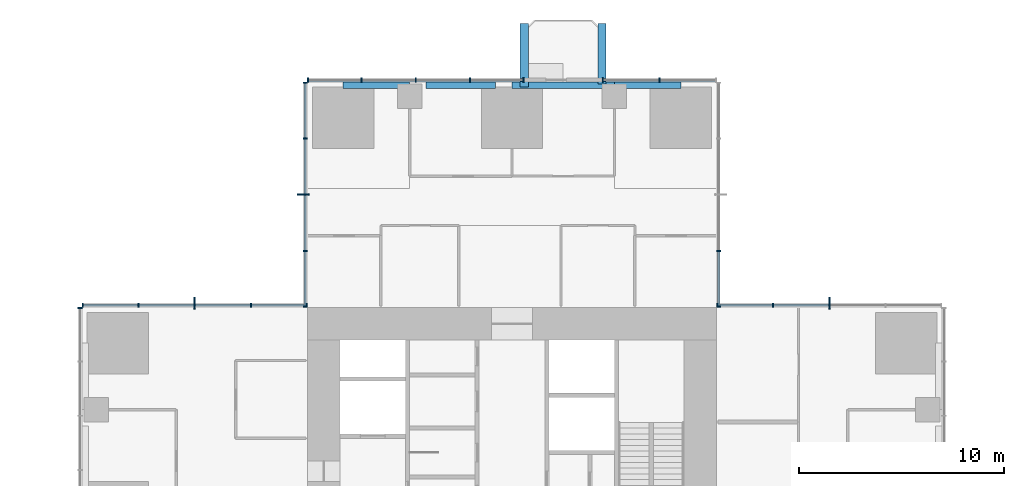
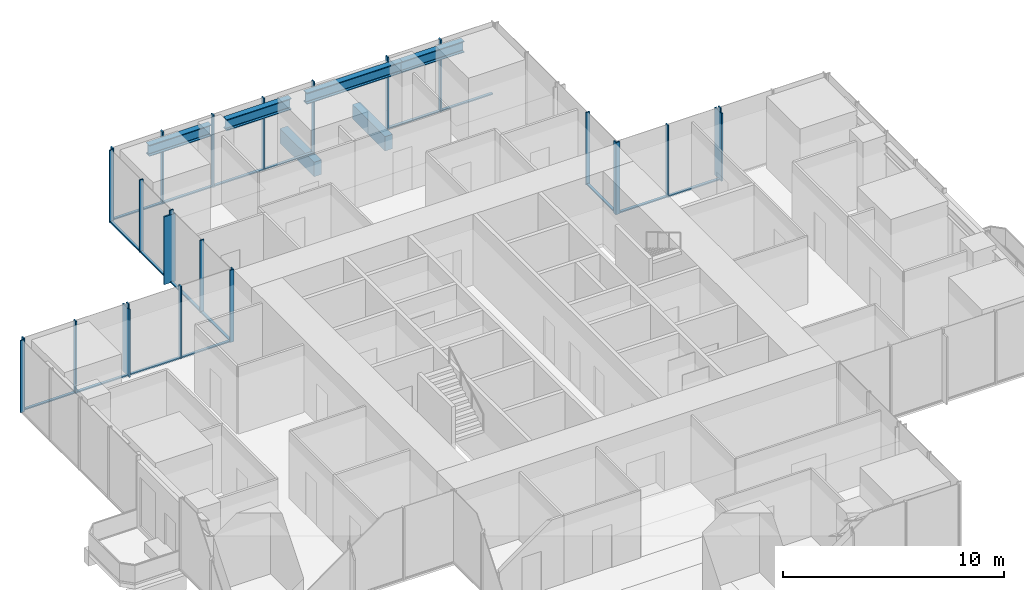
# One storey, part 5 of 14: 43 members, 6 beams, 7 elements without a shape of their own.
"""IFC4 building model written with IfcOpenShell, lengths in metres."""

from ifc_helpers import new_model, si_unit, direction, frame, origin, origin_2d, place, context, subcontext, project, spatial, rectangle, i_section, extrude, material, material_profile, profile_set, type_object, element, aggregate, save


model = new_model("IFC4")

# Units and contexts
model_context = context("Model", 3, precision=1e-05, world=origin(), true_north=direction((0.0, 1.0)))
body_context = subcontext(model_context, "Body", "Model", "MODEL_VIEW")
ifc_project = project(units=[si_unit("LENGTHUNIT", "METRE"), si_unit("AREAUNIT", "SQUARE_METRE"), si_unit("VOLUMEUNIT", "CUBIC_METRE"), si_unit("PLANEANGLEUNIT", "RADIAN"), si_unit("MASSUNIT", "GRAM", prefix="KILO")], contexts=[model_context])

# Site, building, storey
site_placement = place(None, origin())
site = spatial("IfcSite", under=ifc_project, at=site_placement, CompositionType="ELEMENT")
building_placement = place(site_placement, origin())
building = spatial("IfcBuilding", under=site, at=building_placement, Name="Svetlomir Tower", CompositionType="ELEMENT")
storey_placement = place(building_placement, frame((0.0, 0.0, 104.5)))
storey = spatial("IfcBuildingStorey", under=building, at=storey_placement, Name="L24", CompositionType="ELEMENT", Elevation=104.5)

# Beams
ifc_material_1 = material(Name="Concrete C60/75", Category="concrete")
ifc_material_profile_1 = material_profile(ifc_material_1, rectangle(XDim=0.39990234375, YDim=0.800048828125, at=origin_2d()), Name="RC 400x800")
ifc_profile_set_1 = profile_set([ifc_material_profile_1], Name="Concrete C60/75")
beam_type_1 = type_object("IfcBeamType", Name="BALCONY RIB RC 400x800", PredefinedType="BEAM", material=ifc_profile_set_1)
beam_1_placement = place(storey_placement, frame((21.60009765625, 41.75, -0.64990234375), z_axis=(0.0, 1.0, 0.0), x_axis=(-1.0, 0.0, 0.0)))
element("IfcBeam", 1, at=beam_1_placement, inside=storey, type_object=beam_type_1, Name="Balcony rib N 1 L24", PredefinedType="BEAM", context=body_context, shape_type="SweptSolid", body=[
    extrude(rectangle(XDim=0.39990234375, YDim=0.800048828125, at=origin_2d()), origin(), (0.0, 0.0, 1.0), 3.10009765625),
])
beam_2_placement = place(storey_placement, frame((25.39990234375, 41.89990234375, -0.64990234375), z_axis=(0.0, 1.0, 0.0), x_axis=(-1.0, 0.0, 0.0)))
element("IfcBeam", 2, at=beam_2_placement, inside=storey, type_object=beam_type_1, Name="Balcony rib N 2 L24", PredefinedType="BEAM", context=body_context, shape_type="SweptSolid", body=[
    extrude(rectangle(XDim=0.39990234375, YDim=0.800048828125, at=origin_2d()), origin(), (0.0, 0.0, 1.0), 2.9501953125),
])

# Curtain wall, member
ifc_material_2 = material(Name="Bronze anodised aluminium curtain wall", Category="aluminium")
curtain_wall_type = type_object("IfcCurtainWallType", Name="CURTAIN WALL CW1 TOWER OFFICE", PredefinedType="NOTDEFINED", material=ifc_material_2)
curtain_wall_1_placement = place(storey_placement, origin())
curtain_wall_1 = element("IfcCurtainWall", 3, at=curtain_wall_1_placement, inside=storey, type_object=curtain_wall_type, Name="Curtain wall CW1 L24", PredefinedType="NOTDEFINED")
ifc_material_3 = material(Name="Bronze anodised aluminium", Category="aluminium")
ifc_material_profile_2 = material_profile(ifc_material_3, rectangle(XDim=0.080078125, YDim=0.60009765625, at=origin_2d()), Name="FIN 80x600")
ifc_profile_set_2 = profile_set([ifc_material_profile_2], Name="Bronze anodised aluminium 6063-T6")
member_type_1 = type_object("IfcMemberType", Name="BRONZE FIN 80x600", PredefinedType="USERDEFINED", material=ifc_profile_set_2)
member_1_placement = place(storey_placement, frame((36.5, 31.199951171875, 0.0), z_axis=(0.0, 0.0, 1.0), x_axis=(1.0, 0.0, 0.0)))
member_1 = element("IfcMember", 4, at=member_1_placement, type_object=member_type_1, Name="Bronze fin L24", ObjectType="FIN", PredefinedType="USERDEFINED", context=body_context, shape_type="SweptSolid", body=[
    extrude(rectangle(XDim=0.080078125, YDim=0.60009765625, at=origin_2d()), origin(), (0.0, 0.0, 1.0), 3.75),
])

curtain_wall_2_placement = place(storey_placement, origin())
curtain_wall_2 = element("IfcCurtainWall", 5, at=curtain_wall_2_placement, inside=storey, type_object=curtain_wall_type, Name="Curtain wall CW1 L24", PredefinedType="NOTDEFINED")
member_2_placement = place(storey_placement, frame((10.800048828125, 36.5, 0.0), z_axis=(0.0, 0.0, 1.0), x_axis=(0.0, 1.0, 0.0)))
member_2 = element("IfcMember", 6, at=member_2_placement, type_object=member_type_1, Name="Bronze fin L24", ObjectType="FIN", PredefinedType="USERDEFINED", context=body_context, shape_type="SweptSolid", body=[
    extrude(rectangle(XDim=0.080078125, YDim=0.60009765625, at=origin_2d()), origin(), (0.0, 0.0, 1.0), 3.75),
])

curtain_wall_3_placement = place(storey_placement, origin())
curtain_wall_3 = element("IfcCurtainWall", 7, at=curtain_wall_3_placement, inside=storey, type_object=curtain_wall_type, Name="Curtain wall CW1 L24", PredefinedType="NOTDEFINED")
member_3_placement = place(storey_placement, frame((5.5, 31.199951171875, 0.0), z_axis=(0.0, 0.0, 1.0), x_axis=(1.0, 0.0, 0.0)))
member_3 = element("IfcMember", 8, at=member_3_placement, type_object=member_type_1, Name="Bronze fin L24", ObjectType="FIN", PredefinedType="USERDEFINED", context=body_context, shape_type="SweptSolid", body=[
    extrude(rectangle(XDim=0.080078125, YDim=0.60009765625, at=origin_2d()), origin(), (0.0, 0.0, 1.0), 3.75),
])

# Member
ifc_material_4 = material(Name="Bronze anodised aluminium", Category="aluminium")
ifc_material_profile_3 = material_profile(ifc_material_4, rectangle(XDim=0.06494140625, YDim=0.199951171875, at=origin_2d()), Name="AL 65x200")
ifc_profile_set_3 = profile_set([ifc_material_profile_3], Name="Bronze anodised aluminium 6063-T6")
member_type_2 = type_object("IfcMemberType", Name="CW1 MULLION 65x200", PredefinedType="MULLION", material=ifc_profile_set_3)
member_4_placement = place(storey_placement, frame((36.5, 31.10009765625, 0.0), z_axis=(0.0, 0.0, 1.0), x_axis=(-1.0, 0.0, 0.0)))
member_4 = element("IfcMember", 9, at=member_4_placement, type_object=member_type_2, Name="CW1 mullion 3", PredefinedType="MULLION", context=body_context, shape_type="SweptSolid", body=[
    extrude(rectangle(XDim=0.06494140625, YDim=0.199951171875, at=origin_2d()), origin(), (0.0, 0.0, 1.0), 4.0),
])

member_5_placement = place(storey_placement, frame((33.75, 31.10009765625, 0.0), z_axis=(0.0, 0.0, 1.0), x_axis=(-1.0, 0.0, 0.0)))
member_5 = element("IfcMember", 10, at=member_5_placement, type_object=member_type_2, Name="CW1 mullion 4", PredefinedType="MULLION", context=body_context, shape_type="SweptSolid", body=[
    extrude(rectangle(XDim=0.06494140625, YDim=0.199951171875, at=origin_2d()), origin(), (0.0, 0.0, 1.0), 4.0),
])

member_6_placement = place(storey_placement, frame((31.032470703125, 31.10009765625, 0.0), z_axis=(0.0, 0.0, 1.0), x_axis=(-1.0, 0.0, 0.0)))
member_6 = element("IfcMember", 11, at=member_6_placement, type_object=member_type_2, Name="CW1 mullion 5", PredefinedType="MULLION", context=body_context, shape_type="SweptSolid", body=[
    extrude(rectangle(XDim=0.06494140625, YDim=0.199951171875, at=origin_2d()), origin(), (0.0, 0.0, 1.0), 4.0),
])

# Curtain wall, members
curtain_wall_4_placement = place(storey_placement, origin())
curtain_wall_4 = element("IfcCurtainWall", 12, at=curtain_wall_4_placement, inside=storey, type_object=curtain_wall_type, Name="Curtain wall CW1 L24", PredefinedType="NOTDEFINED")
member_7_placement = place(storey_placement, frame((31.10009765625, 31.032470703125, 0.0), z_axis=(0.0, 0.0, 1.0), x_axis=(0.0, 1.0, 0.0)))
member_7 = element("IfcMember", 13, at=member_7_placement, type_object=member_type_2, Name="CW1 mullion 1", PredefinedType="MULLION", context=body_context, shape_type="SweptSolid", body=[
    extrude(rectangle(XDim=0.06494140625, YDim=0.199951171875, at=origin_2d()), origin(), (0.0, 0.0, 1.0), 4.0),
])
member_8_placement = place(storey_placement, frame((31.10009765625, 33.75, 0.0), z_axis=(0.0, 0.0, 1.0), x_axis=(0.0, 1.0, 0.0)))
member_8 = element("IfcMember", 14, at=member_8_placement, type_object=member_type_2, Name="CW1 mullion 2", PredefinedType="MULLION", context=body_context, shape_type="SweptSolid", body=[
    extrude(rectangle(XDim=0.06494140625, YDim=0.199951171875, at=origin_2d()), origin(), (0.0, 0.0, 1.0), 4.0),
])

curtain_wall_5_placement = place(storey_placement, origin())
curtain_wall_5 = element("IfcCurtainWall", 15, at=curtain_wall_5_placement, inside=storey, type_object=curtain_wall_type, Name="Curtain wall CW1 L24", PredefinedType="NOTDEFINED")
member_9_placement = place(storey_placement, frame((28.199951171875, 42.10009765625, 0.0), z_axis=(0.0, 0.0, 1.0), x_axis=(-1.0, 0.0, 0.0)))
member_9 = element("IfcMember", 16, at=member_9_placement, type_object=member_type_2, Name="CW1 mullion 2", PredefinedType="MULLION", context=body_context, shape_type="SweptSolid", body=[
    extrude(rectangle(XDim=0.06494140625, YDim=0.199951171875, at=origin_2d()), origin(), (0.0, 0.0, 1.0), 4.0),
])
member_10_placement = place(storey_placement, frame((25.4326171875, 42.10009765625, 0.0), z_axis=(0.0, 0.0, 1.0), x_axis=(-1.0, 0.0, 0.0)))
member_10 = element("IfcMember", 17, at=member_10_placement, type_object=member_type_2, Name="CW1 mullion 3", PredefinedType="MULLION", context=body_context, shape_type="SweptSolid", body=[
    extrude(rectangle(XDim=0.06494140625, YDim=0.199951171875, at=origin_2d()), origin(), (0.0, 0.0, 1.0), 4.0),
])

curtain_wall_6_placement = place(storey_placement, origin())
curtain_wall_6 = element("IfcCurtainWall", 18, at=curtain_wall_6_placement, inside=storey, type_object=curtain_wall_type, Name="Curtain wall CW1 L24", PredefinedType="NOTDEFINED")
member_11_placement = place(storey_placement, frame((21.5673828125, 42.10009765625, 0.0), z_axis=(0.0, 0.0, 1.0), x_axis=(-1.0, 0.0, 0.0)))
member_11 = element("IfcMember", 19, at=member_11_placement, type_object=member_type_2, Name="CW1 mullion 1", PredefinedType="MULLION", context=body_context, shape_type="SweptSolid", body=[
    extrude(rectangle(XDim=0.06494140625, YDim=0.199951171875, at=origin_2d()), origin(), (0.0, 0.0, 1.0), 4.0),
])
member_12_placement = place(storey_placement, frame((18.949951171875, 42.10009765625, 0.0), z_axis=(0.0, 0.0, 1.0), x_axis=(-1.0, 0.0, 0.0)))
member_12 = element("IfcMember", 20, at=member_12_placement, type_object=member_type_2, Name="CW1 mullion 2", PredefinedType="MULLION", context=body_context, shape_type="SweptSolid", body=[
    extrude(rectangle(XDim=0.06494140625, YDim=0.199951171875, at=origin_2d()), origin(), (0.0, 0.0, 1.0), 4.0),
])
member_13_placement = place(storey_placement, frame((16.300048828125, 42.10009765625, 0.0), z_axis=(0.0, 0.0, 1.0), x_axis=(-1.0, 0.0, 0.0)))
member_13 = element("IfcMember", 21, at=member_13_placement, type_object=member_type_2, Name="CW1 mullion 3", PredefinedType="MULLION", context=body_context, shape_type="SweptSolid", body=[
    extrude(rectangle(XDim=0.06494140625, YDim=0.199951171875, at=origin_2d()), origin(), (0.0, 0.0, 1.0), 4.0),
])
member_14_placement = place(storey_placement, frame((13.64990234375, 42.10009765625, 0.0), z_axis=(0.0, 0.0, 1.0), x_axis=(-1.0, 0.0, 0.0)))
member_14 = element("IfcMember", 22, at=member_14_placement, type_object=member_type_2, Name="CW1 mullion 4", PredefinedType="MULLION", context=body_context, shape_type="SweptSolid", body=[
    extrude(rectangle(XDim=0.06494140625, YDim=0.199951171875, at=origin_2d()), origin(), (0.0, 0.0, 1.0), 4.0),
])
member_15_placement = place(storey_placement, frame((11.032470703125, 42.10009765625, 0.0), z_axis=(0.0, 0.0, 1.0), x_axis=(-1.0, 0.0, 0.0)))
member_15 = element("IfcMember", 23, at=member_15_placement, type_object=member_type_2, Name="CW1 mullion 5", PredefinedType="MULLION", context=body_context, shape_type="SweptSolid", body=[
    extrude(rectangle(XDim=0.06494140625, YDim=0.199951171875, at=origin_2d()), origin(), (0.0, 0.0, 1.0), 4.0),
])

# Member
member_16_placement = place(storey_placement, frame((10.89990234375, 41.967529296875, 0.0), z_axis=(0.0, 0.0, 1.0), x_axis=(0.0, -1.0, 0.0)))
member_16 = element("IfcMember", 24, at=member_16_placement, type_object=member_type_2, Name="CW1 mullion 1", PredefinedType="MULLION", context=body_context, shape_type="SweptSolid", body=[
    extrude(rectangle(XDim=0.06494140625, YDim=0.199951171875, at=origin_2d()), origin(), (0.0, 0.0, 1.0), 4.0),
])

member_17_placement = place(storey_placement, frame((10.89990234375, 39.25, 0.0), z_axis=(0.0, 0.0, 1.0), x_axis=(0.0, -1.0, 0.0)))
member_17 = element("IfcMember", 25, at=member_17_placement, type_object=member_type_2, Name="CW1 mullion 2", PredefinedType="MULLION", context=body_context, shape_type="SweptSolid", body=[
    extrude(rectangle(XDim=0.06494140625, YDim=0.199951171875, at=origin_2d()), origin(), (0.0, 0.0, 1.0), 4.0),
])

member_18_placement = place(storey_placement, frame((10.89990234375, 36.5, 0.0), z_axis=(0.0, 0.0, 1.0), x_axis=(0.0, -1.0, 0.0)))
member_18 = element("IfcMember", 26, at=member_18_placement, type_object=member_type_2, Name="CW1 mullion 3", PredefinedType="MULLION", context=body_context, shape_type="SweptSolid", body=[
    extrude(rectangle(XDim=0.06494140625, YDim=0.199951171875, at=origin_2d()), origin(), (0.0, 0.0, 1.0), 4.0),
])

member_19_placement = place(storey_placement, frame((10.89990234375, 33.75, 0.0), z_axis=(0.0, 0.0, 1.0), x_axis=(0.0, -1.0, 0.0)))
member_19 = element("IfcMember", 27, at=member_19_placement, type_object=member_type_2, Name="CW1 mullion 4", PredefinedType="MULLION", context=body_context, shape_type="SweptSolid", body=[
    extrude(rectangle(XDim=0.06494140625, YDim=0.199951171875, at=origin_2d()), origin(), (0.0, 0.0, 1.0), 4.0),
])

member_20_placement = place(storey_placement, frame((10.89990234375, 31.032470703125, 0.0), z_axis=(0.0, 0.0, 1.0), x_axis=(0.0, -1.0, 0.0)))
member_20 = element("IfcMember", 28, at=member_20_placement, type_object=member_type_2, Name="CW1 mullion 5", PredefinedType="MULLION", context=body_context, shape_type="SweptSolid", body=[
    extrude(rectangle(XDim=0.06494140625, YDim=0.199951171875, at=origin_2d()), origin(), (0.0, 0.0, 1.0), 4.0),
])

member_21_placement = place(storey_placement, frame((10.967529296875, 31.10009765625, 0.0), z_axis=(0.0, 0.0, 1.0), x_axis=(-1.0, 0.0, 0.0)))
member_21 = element("IfcMember", 29, at=member_21_placement, type_object=member_type_2, Name="CW1 mullion 1", PredefinedType="MULLION", context=body_context, shape_type="SweptSolid", body=[
    extrude(rectangle(XDim=0.06494140625, YDim=0.199951171875, at=origin_2d()), origin(), (0.0, 0.0, 1.0), 4.0),
])

member_22_placement = place(storey_placement, frame((8.25, 31.10009765625, 0.0), z_axis=(0.0, 0.0, 1.0), x_axis=(-1.0, 0.0, 0.0)))
member_22 = element("IfcMember", 30, at=member_22_placement, type_object=member_type_2, Name="CW1 mullion 2", PredefinedType="MULLION", context=body_context, shape_type="SweptSolid", body=[
    extrude(rectangle(XDim=0.06494140625, YDim=0.199951171875, at=origin_2d()), origin(), (0.0, 0.0, 1.0), 4.0),
])

member_23_placement = place(storey_placement, frame((5.5, 31.10009765625, 0.0), z_axis=(0.0, 0.0, 1.0), x_axis=(-1.0, 0.0, 0.0)))
member_23 = element("IfcMember", 31, at=member_23_placement, type_object=member_type_2, Name="CW1 mullion 3", PredefinedType="MULLION", context=body_context, shape_type="SweptSolid", body=[
    extrude(rectangle(XDim=0.06494140625, YDim=0.199951171875, at=origin_2d()), origin(), (0.0, 0.0, 1.0), 4.0),
])

member_24_placement = place(storey_placement, frame((2.75, 31.10009765625, 0.0), z_axis=(0.0, 0.0, 1.0), x_axis=(-1.0, 0.0, 0.0)))
member_24 = element("IfcMember", 32, at=member_24_placement, type_object=member_type_2, Name="CW1 mullion 4", PredefinedType="MULLION", context=body_context, shape_type="SweptSolid", body=[
    extrude(rectangle(XDim=0.06494140625, YDim=0.199951171875, at=origin_2d()), origin(), (0.0, 0.0, 1.0), 4.0),
])

member_25_placement = place(storey_placement, frame((0.032470703125, 31.10009765625, 0.0), z_axis=(0.0, 0.0, 1.0), x_axis=(-1.0, 0.0, 0.0)))
member_25 = element("IfcMember", 33, at=member_25_placement, type_object=member_type_2, Name="CW1 mullion 5", PredefinedType="MULLION", context=body_context, shape_type="SweptSolid", body=[
    extrude(rectangle(XDim=0.06494140625, YDim=0.199951171875, at=origin_2d()), origin(), (0.0, 0.0, 1.0), 4.0),
])

# Curtain wall, member
curtain_wall_7_placement = place(storey_placement, origin())
curtain_wall_7 = element("IfcCurtainWall", 34, at=curtain_wall_7_placement, inside=storey, type_object=curtain_wall_type, Name="Curtain wall CW1 L24", PredefinedType="NOTDEFINED")
member_26_placement = place(storey_placement, frame((-0.10009765625, 30.967529296875, 0.0), z_axis=(0.0, 0.0, 1.0), x_axis=(0.0, -1.0, 0.0)))
member_26 = element("IfcMember", 35, at=member_26_placement, type_object=member_type_2, Name="CW1 mullion 1", PredefinedType="MULLION", context=body_context, shape_type="SweptSolid", body=[
    extrude(rectangle(XDim=0.06494140625, YDim=0.199951171875, at=origin_2d()), origin(), (0.0, 0.0, 1.0), 4.0),
])
aggregate(curtain_wall_7, [member_26])

# Member
ifc_material_5 = material(Name="Bronze anodised aluminium", Category="aluminium")
ifc_material_profile_4 = material_profile(ifc_material_5, rectangle(XDim=0.139892578125, YDim=0.06494140625, at=origin_2d()), Name="AL 140x65")
ifc_profile_set_4 = profile_set([ifc_material_profile_4], Name="Bronze anodised aluminium 6063-T6")
member_type_3 = type_object("IfcMemberType", Name="CW1 TRANSOM 65x140", PredefinedType="USERDEFINED", material=ifc_profile_set_4)
member_27_placement = place(storey_placement, frame((36.467529296875, 31.10009765625, 0.032470703125), z_axis=(-1.0, 0.0, 0.0), x_axis=(0.0, -1.0, 0.0)))
member_27 = element("IfcMember", 36, at=member_27_placement, type_object=member_type_3, Name="CW1 transom 3.1", ObjectType="TRANSOM", PredefinedType="USERDEFINED", context=body_context, shape_type="SweptSolid", body=[
    extrude(rectangle(XDim=0.139892578125, YDim=0.06494140625, at=origin_2d()), origin(), (0.0, 0.0, 1.0), 2.68505859375),
])

member_28_placement = place(storey_placement, frame((33.717529296875, 31.10009765625, 0.032470703125), z_axis=(-1.0, 0.0, 0.0), x_axis=(0.0, -1.0, 0.0)))
member_28 = element("IfcMember", 37, at=member_28_placement, type_object=member_type_3, Name="CW1 transom 4.1", ObjectType="TRANSOM", PredefinedType="USERDEFINED", context=body_context, shape_type="SweptSolid", body=[
    extrude(rectangle(XDim=0.139892578125, YDim=0.06494140625, at=origin_2d()), origin(), (0.0, 0.0, 1.0), 2.652587890625),
])

aggregate(curtain_wall_1, [member_4, member_5, member_6, member_27, member_28, member_1])

member_29_placement = place(storey_placement, frame((31.10009765625, 31.06494140625, 0.032470703125), z_axis=(0.0, 1.0, 0.0), x_axis=(-1.0, 0.0, 0.0)))
member_29 = element("IfcMember", 38, at=member_29_placement, type_object=member_type_3, Name="CW1 transom 1.1", ObjectType="TRANSOM", PredefinedType="USERDEFINED", context=body_context, shape_type="SweptSolid", body=[
    extrude(rectangle(XDim=0.139892578125, YDim=0.06494140625, at=origin_2d()), origin(), (0.0, 0.0, 1.0), 2.652587890625),
])

aggregate(curtain_wall_4, [member_7, member_8, member_29])

member_30_placement = place(storey_placement, frame((30.93505859375, 42.10009765625, 0.032470703125), z_axis=(-1.0, 0.0, 0.0), x_axis=(0.0, -1.0, 0.0)))
member_30 = element("IfcMember", 39, at=member_30_placement, type_object=member_type_3, Name="CW1 transom 1.1", ObjectType="TRANSOM", PredefinedType="USERDEFINED", context=body_context, shape_type="SweptSolid", body=[
    extrude(rectangle(XDim=0.139892578125, YDim=0.06494140625, at=origin_2d()), origin(), (0.0, 0.0, 1.0), 2.70263671875),
])

member_31_placement = place(storey_placement, frame((28.16748046875, 42.10009765625, 0.032470703125), z_axis=(-1.0, 0.0, 0.0), x_axis=(0.0, -1.0, 0.0)))
member_31 = element("IfcMember", 40, at=member_31_placement, type_object=member_type_3, Name="CW1 transom 2.1", ObjectType="TRANSOM", PredefinedType="USERDEFINED", context=body_context, shape_type="SweptSolid", body=[
    extrude(rectangle(XDim=0.139892578125, YDim=0.06494140625, at=origin_2d()), origin(), (0.0, 0.0, 1.0), 2.702392578125),
])

aggregate(curtain_wall_5, [member_9, member_10, member_30, member_31])

member_32_placement = place(storey_placement, frame((21.534912109375, 42.10009765625, 0.032470703125), z_axis=(-1.0, 0.0, 0.0), x_axis=(0.0, -1.0, 0.0)))
member_32 = element("IfcMember", 41, at=member_32_placement, type_object=member_type_3, Name="CW1 transom 1.1", ObjectType="TRANSOM", PredefinedType="USERDEFINED", context=body_context, shape_type="SweptSolid", body=[
    extrude(rectangle(XDim=0.139892578125, YDim=0.06494140625, at=origin_2d()), origin(), (0.0, 0.0, 1.0), 2.552490234375),
])

member_33_placement = place(storey_placement, frame((18.91748046875, 42.10009765625, 0.032470703125), z_axis=(-1.0, 0.0, 0.0), x_axis=(0.0, -1.0, 0.0)))
member_33 = element("IfcMember", 42, at=member_33_placement, type_object=member_type_3, Name="CW1 transom 2.1", ObjectType="TRANSOM", PredefinedType="USERDEFINED", context=body_context, shape_type="SweptSolid", body=[
    extrude(rectangle(XDim=0.139892578125, YDim=0.06494140625, at=origin_2d()), origin(), (0.0, 0.0, 1.0), 2.5849609375),
])

member_34_placement = place(storey_placement, frame((16.267578125, 42.10009765625, 0.032470703125), z_axis=(-1.0, 0.0, 0.0), x_axis=(0.0, -1.0, 0.0)))
member_34 = element("IfcMember", 43, at=member_34_placement, type_object=member_type_3, Name="CW1 transom 3.1", ObjectType="TRANSOM", PredefinedType="USERDEFINED", context=body_context, shape_type="SweptSolid", body=[
    extrude(rectangle(XDim=0.139892578125, YDim=0.06494140625, at=origin_2d()), origin(), (0.0, 0.0, 1.0), 2.5849609375),
])

member_35_placement = place(storey_placement, frame((13.617431640625, 42.10009765625, 0.032470703125), z_axis=(-1.0, 0.0, 0.0), x_axis=(0.0, -1.0, 0.0)))
member_35 = element("IfcMember", 44, at=member_35_placement, type_object=member_type_3, Name="CW1 transom 4.1", ObjectType="TRANSOM", PredefinedType="USERDEFINED", context=body_context, shape_type="SweptSolid", body=[
    extrude(rectangle(XDim=0.139892578125, YDim=0.06494140625, at=origin_2d()), origin(), (0.0, 0.0, 1.0), 2.552490234375),
])

aggregate(curtain_wall_6, [member_11, member_12, member_13, member_14, member_15, member_32, member_33, member_34, member_35])

member_36_placement = place(storey_placement, frame((10.89990234375, 41.93505859375, 0.032470703125), z_axis=(0.0, -1.0, 0.0), x_axis=(1.0, 0.0, 0.0)))
member_36 = element("IfcMember", 45, at=member_36_placement, type_object=member_type_3, Name="CW1 transom 1.1", ObjectType="TRANSOM", PredefinedType="USERDEFINED", context=body_context, shape_type="SweptSolid", body=[
    extrude(rectangle(XDim=0.139892578125, YDim=0.06494140625, at=origin_2d()), origin(), (0.0, 0.0, 1.0), 2.652587890625),
])

member_37_placement = place(storey_placement, frame((10.89990234375, 39.217529296875, 0.032470703125), z_axis=(0.0, -1.0, 0.0), x_axis=(1.0, 0.0, 0.0)))
member_37 = element("IfcMember", 46, at=member_37_placement, type_object=member_type_3, Name="CW1 transom 2.1", ObjectType="TRANSOM", PredefinedType="USERDEFINED", context=body_context, shape_type="SweptSolid", body=[
    extrude(rectangle(XDim=0.139892578125, YDim=0.06494140625, at=origin_2d()), origin(), (0.0, 0.0, 1.0), 2.68505859375),
])

member_38_placement = place(storey_placement, frame((10.89990234375, 36.467529296875, 0.032470703125), z_axis=(0.0, -1.0, 0.0), x_axis=(1.0, 0.0, 0.0)))
member_38 = element("IfcMember", 47, at=member_38_placement, type_object=member_type_3, Name="CW1 transom 3.1", ObjectType="TRANSOM", PredefinedType="USERDEFINED", context=body_context, shape_type="SweptSolid", body=[
    extrude(rectangle(XDim=0.139892578125, YDim=0.06494140625, at=origin_2d()), origin(), (0.0, 0.0, 1.0), 2.68505859375),
])

member_39_placement = place(storey_placement, frame((10.89990234375, 33.717529296875, 0.032470703125), z_axis=(0.0, -1.0, 0.0), x_axis=(1.0, 0.0, 0.0)))
member_39 = element("IfcMember", 48, at=member_39_placement, type_object=member_type_3, Name="CW1 transom 4.1", ObjectType="TRANSOM", PredefinedType="USERDEFINED", context=body_context, shape_type="SweptSolid", body=[
    extrude(rectangle(XDim=0.139892578125, YDim=0.06494140625, at=origin_2d()), origin(), (0.0, 0.0, 1.0), 2.652587890625),
])

aggregate(curtain_wall_2, [member_16, member_17, member_18, member_19, member_20, member_36, member_37, member_38, member_39, member_2])

member_40_placement = place(storey_placement, frame((10.93505859375, 31.10009765625, 0.032470703125), z_axis=(-1.0, 0.0, 0.0), x_axis=(0.0, -1.0, 0.0)))
member_40 = element("IfcMember", 49, at=member_40_placement, type_object=member_type_3, Name="CW1 transom 1.1", ObjectType="TRANSOM", PredefinedType="USERDEFINED", context=body_context, shape_type="SweptSolid", body=[
    extrude(rectangle(XDim=0.139892578125, YDim=0.06494140625, at=origin_2d()), origin(), (0.0, 0.0, 1.0), 2.652587890625),
])

member_41_placement = place(storey_placement, frame((8.217529296875, 31.10009765625, 0.032470703125), z_axis=(-1.0, 0.0, 0.0), x_axis=(0.0, -1.0, 0.0)))
member_41 = element("IfcMember", 50, at=member_41_placement, type_object=member_type_3, Name="CW1 transom 2.1", ObjectType="TRANSOM", PredefinedType="USERDEFINED", context=body_context, shape_type="SweptSolid", body=[
    extrude(rectangle(XDim=0.139892578125, YDim=0.06494140625, at=origin_2d()), origin(), (0.0, 0.0, 1.0), 2.68505859375),
])

member_42_placement = place(storey_placement, frame((5.467529296875, 31.10009765625, 0.032470703125), z_axis=(-1.0, 0.0, 0.0), x_axis=(0.0, -1.0, 0.0)))
member_42 = element("IfcMember", 51, at=member_42_placement, type_object=member_type_3, Name="CW1 transom 3.1", ObjectType="TRANSOM", PredefinedType="USERDEFINED", context=body_context, shape_type="SweptSolid", body=[
    extrude(rectangle(XDim=0.139892578125, YDim=0.06494140625, at=origin_2d()), origin(), (0.0, 0.0, 1.0), 2.68505859375),
])

member_43_placement = place(storey_placement, frame((2.717529296875, 31.10009765625, 0.032470703125), z_axis=(-1.0, 0.0, 0.0), x_axis=(0.0, -1.0, 0.0)))
member_43 = element("IfcMember", 52, at=member_43_placement, type_object=member_type_3, Name="CW1 transom 4.1", ObjectType="TRANSOM", PredefinedType="USERDEFINED", context=body_context, shape_type="SweptSolid", body=[
    extrude(rectangle(XDim=0.139892578125, YDim=0.06494140625, at=origin_2d()), origin(), (0.0, 0.0, 1.0), 2.652587890625),
])

aggregate(curtain_wall_3, [member_21, member_22, member_23, member_24, member_25, member_40, member_41, member_42, member_43, member_3])

# Beams
ifc_material_6 = material(Name="Steel S355", Category="steel")
ifc_material_profile_5 = material_profile(ifc_material_6, i_section(OverallWidth=0.304931640625, OverallDepth=0.6201171875, WebThickness=0.02099609375, FlangeThickness=0.0400390625, FilletRadius=0.027099609375, at=origin_2d()), Name="HEM 600")
ifc_profile_set_5 = profile_set([ifc_material_profile_5], Name="Steel S355")
beam_type_2 = type_object("IfcBeamType", Name="EDGE BEAM HEM 600", PredefinedType="SPANDREL", material=ifc_profile_set_5)
beam_3_placement = place(storey_placement, frame((12.75, 41.847412109375, 3.43994140625), z_axis=(1.0, 0.0, 0.0), x_axis=(0.0, 1.0, 0.0)))
element("IfcBeam", 53, at=beam_3_placement, inside=storey, type_object=beam_type_2, Name="Edge beam 11/42 to 16/42 under L25", PredefinedType="SPANDREL", context=body_context, shape_type="SweptSolid", body=[
    extrude(i_section(OverallWidth=0.304931640625, OverallDepth=0.6201171875, WebThickness=0.02099609375, FlangeThickness=0.0400390625, FilletRadius=0.027099609375, at=origin_2d()), origin(), (0.0, 0.0, 1.0), 3.25),
])
beam_4_placement = place(storey_placement, frame((16.800048828125, 41.847412109375, 3.43994140625), z_axis=(1.0, 0.0, 0.0), x_axis=(0.0, 1.0, 0.0)))
element("IfcBeam", 54, at=beam_4_placement, inside=storey, type_object=beam_type_2, Name="Edge beam 16/42 to 21/42 under L25", PredefinedType="SPANDREL", context=body_context, shape_type="SweptSolid", body=[
    extrude(i_section(OverallWidth=0.304931640625, OverallDepth=0.6201171875, WebThickness=0.02099609375, FlangeThickness=0.0400390625, FilletRadius=0.027099609375, at=origin_2d()), origin(), (0.0, 0.0, 1.0), 3.39990234375),
])
beam_5_placement = place(storey_placement, frame((21.0, 41.847412109375, 3.43994140625), z_axis=(1.0, 0.0, 0.0), x_axis=(0.0, 1.0, 0.0)))
element("IfcBeam", 55, at=beam_5_placement, inside=storey, type_object=beam_type_2, Name="Edge beam 21/42 to 26/42 under L25", PredefinedType="SPANDREL", context=body_context, shape_type="SweptSolid", body=[
    extrude(i_section(OverallWidth=0.304931640625, OverallDepth=0.6201171875, WebThickness=0.02099609375, FlangeThickness=0.0400390625, FilletRadius=0.027099609375, at=origin_2d()), origin(), (0.0, 0.0, 1.0), 5.0),
])
beam_6_placement = place(storey_placement, frame((26.0, 41.847412109375, 3.43994140625), z_axis=(1.0, 0.0, 0.0), x_axis=(0.0, 1.0, 0.0)))
element("IfcBeam", 56, at=beam_6_placement, inside=storey, type_object=beam_type_2, Name="Edge beam 26/42 to 31/42 under L25", PredefinedType="SPANDREL", context=body_context, shape_type="SweptSolid", body=[
    extrude(i_section(OverallWidth=0.304931640625, OverallDepth=0.6201171875, WebThickness=0.02099609375, FlangeThickness=0.0400390625, FilletRadius=0.027099609375, at=origin_2d()), origin(), (0.0, 0.0, 1.0), 3.25),
])

save(model, "model.ifc")
